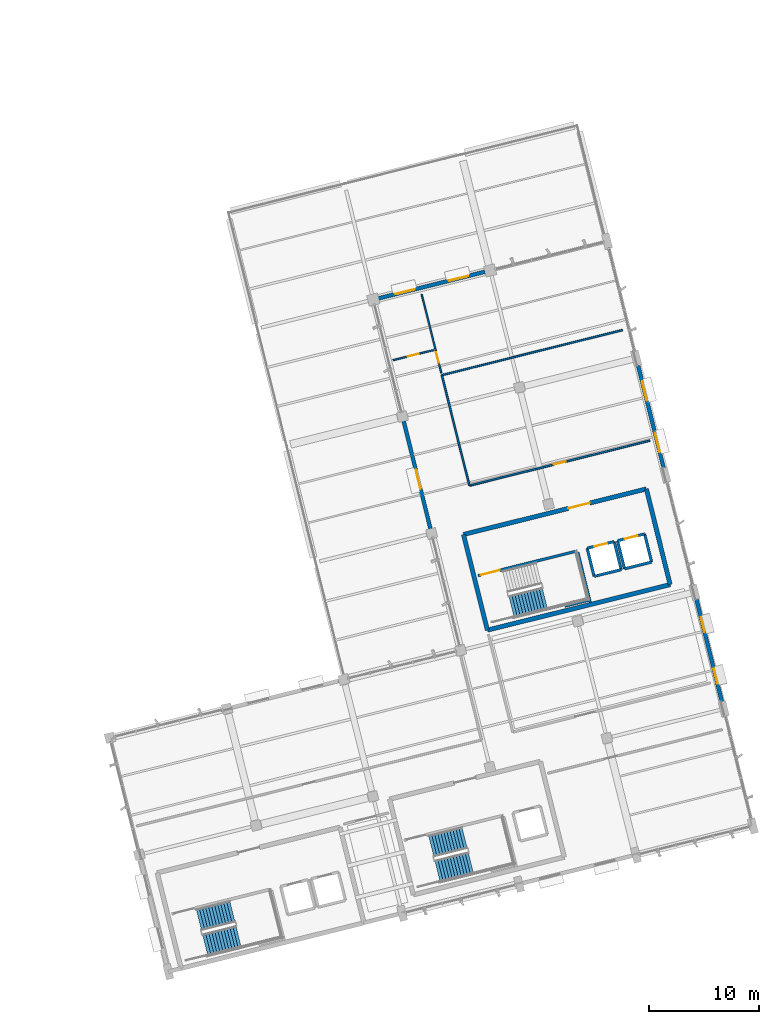
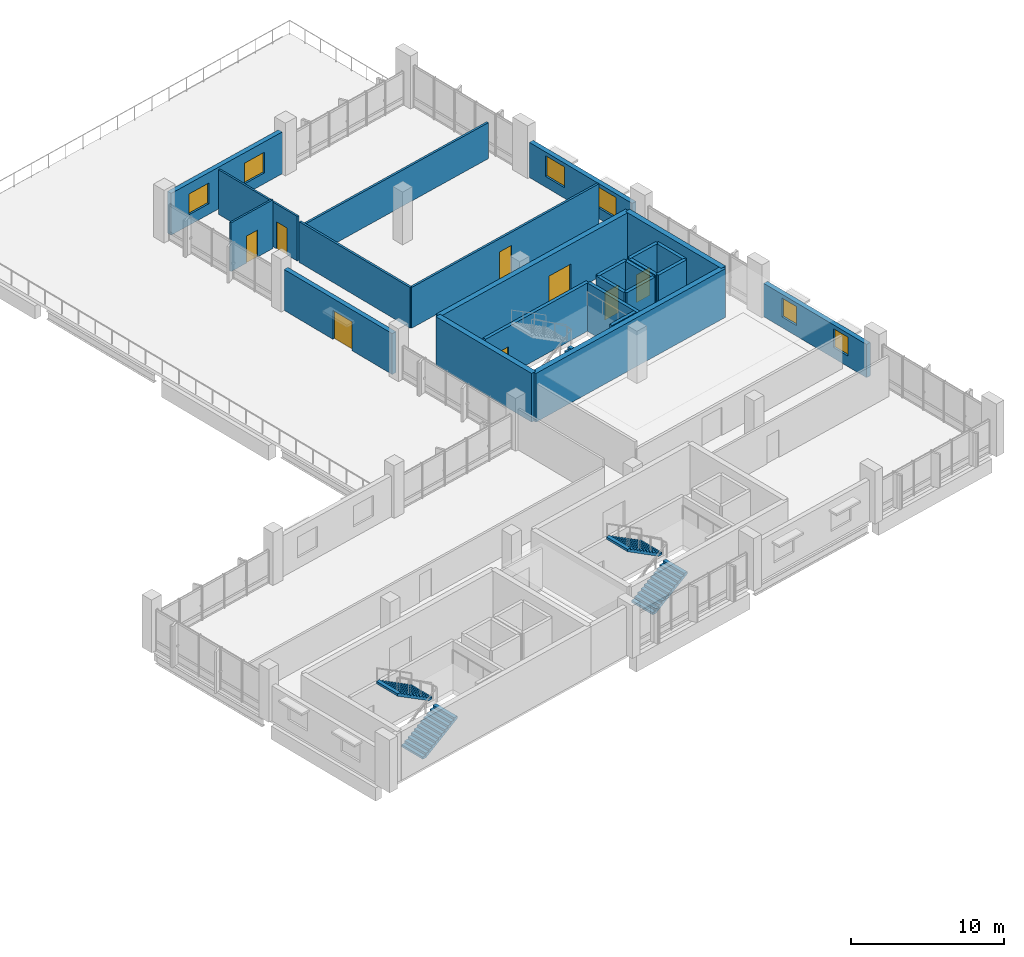
# One storey, part 36 of 42: 24 walls, 8 doors, 6 windows, 5 stair flights, 14 openings, 3 elements without a shape of their own.
"""IFC4 building model written with IfcOpenShell, lengths in metres."""

from ifc_helpers import new_model, si_unit, direction, frame, frame_2d, origin, place, context, subcontext, project, spatial, polyline, rectangle, outline, extrude, material, layer, layer_set, type_object, element, fill, aggregate, save


model = new_model("IFC4")

# Units and contexts
model_context = context("Model", 3, precision=1e-05, world=origin(), true_north=direction((0.0, 1.0)))
body_context = subcontext(model_context, "Body", "Model", "MODEL_VIEW")
ifc_project = project(units=[si_unit("LENGTHUNIT", "METRE"), si_unit("AREAUNIT", "SQUARE_METRE"), si_unit("VOLUMEUNIT", "CUBIC_METRE"), si_unit("PLANEANGLEUNIT", "RADIAN"), si_unit("MASSUNIT", "GRAM", prefix="KILO")], contexts=[model_context])

# Site, building, storey
site_placement = place(None, origin())
site = spatial("IfcSite", under=ifc_project, at=site_placement, CompositionType="ELEMENT")
building_placement = place(site_placement, origin())
building = spatial("IfcBuilding", under=site, at=building_placement, Name="Khorjan Park Terminus", CompositionType="ELEMENT")
storey_placement = place(building_placement, frame((0.0, 0.0, 20.4)))
storey = spatial("IfcBuildingStorey", under=building, at=storey_placement, Name="L04", CompositionType="ELEMENT", Elevation=20.4)

# Walls
ifc_material_1 = material(Name="Concrete C50/60", Category="concrete")
ifc_layer_1 = layer(ifc_material_1, 0.4)
ifc_layer_set_1 = layer_set([ifc_layer_1], Name="Concrete C50/60")
wall_type_1 = type_object("IfcWallType", Name="CW-40", PredefinedType="SHEAR", material=ifc_layer_set_1)
wall_1_placement = place(storey_placement, frame((205.7973, 35.8328, 0.0), z_axis=(0.0, 0.0, 1.0), x_axis=(0.970295179998, 0.241924086589, 0.0)))
element("IfcWall", 1, at=wall_1_placement, inside=storey, type_object=wall_type_1, Name="Operations North-East Firefighting Core concrete shear wall CW-40 (L04-E1)", PredefinedType="SHEAR", context=body_context, shape_type="SweptSolid", body=[
    extrude(rectangle(XDim=17.2, YDim=0.4, at=frame_2d((8.6, 0.0))), origin(), (0.0, 0.0, 1.0), 3.88),
])
wall_2_placement = place(storey_placement, frame((222.4864, 39.9939, 0.0), z_axis=(0.0, 0.0, 1.0), x_axis=(-0.241923808098, 0.970295249435, 0.0)))
element("IfcWall", 2, at=wall_2_placement, inside=storey, type_object=wall_type_1, Name="Operations North-East Firefighting Core concrete shear wall CW-40 (L04-E2)", PredefinedType="SHEAR", context=body_context, shape_type="SweptSolid", body=[
    extrude(rectangle(XDim=8.9999, YDim=0.4, at=frame_2d((4.5, 0.0))), origin(), (0.0, 0.0, 1.0), 3.88),
])

# Wall, opening, door
wall_3_placement = place(storey_placement, frame((220.3091, 48.7265, 0.0), z_axis=(0.0, 0.0, 1.0), x_axis=(-0.970296544738, -0.241918612906, 0.0)))
wall_3 = element("IfcWall", 3, at=wall_3_placement, inside=storey, type_object=wall_type_1, Name="Operations North-East Firefighting Core concrete shear wall CW-40 (L04-E3)", PredefinedType="SHEAR", context=body_context, shape_type="SweptSolid", body=[
    extrude(rectangle(XDim=17.2, YDim=0.4, at=frame_2d((8.6, 0.0))), origin(), (0.0, 0.0, 1.0), 3.88),
])
opening_1_placement = place(wall_3_placement, frame((5.32, 0.0, 0.0)))
opening_1 = element("IfcOpeningElement", 4, at=opening_1_placement, cuts=wall_3, Name="Opening FD-20", PredefinedType="OPENING", context=body_context, shape_type="SweptSolid", body=[
    extrude(rectangle(XDim=2.0, YDim=2.3, at=frame_2d((1.0, 1.15))), frame((0.0, 0.21, 0.0), z_axis=(0.0, -1.0, 0.0), x_axis=(1.0, 0.0, 0.0)), (0.0, 0.0, 1.0), 0.42),
])
ifc_material_2 = material(Name="Fire-Rated Steel Double Door", Category="steel")
door_type_1 = type_object("IfcDoorType", Name="FD-20", OperationType="NOTDEFINED", PredefinedType="DOOR", material=ifc_material_2)
door_1_placement = place(opening_1_placement, origin())
door_1 = element("IfcDoor", 5, at=door_1_placement, inside=storey, type_object=door_type_1, Name="Operations North-East Firefighting Core fire-rated exit door FD-20 (L04)", OperationType="DOUBLE_DOOR_SINGLE_SWING", OverallHeight=2.3, OverallWidth=2.0, PredefinedType="DOOR", context=body_context, shape_type="SweptSolid", body=[
    extrude(rectangle(XDim=2.0, YDim=2.3, at=frame_2d((1.0, 1.15))), frame((0.0, 0.025, 0.0), z_axis=(0.0, -1.0, 0.0), x_axis=(1.0, 0.0, 0.0)), (0.0, 0.0, 1.0), 0.05),
])
fill(opening_1, door_1)

# Wall
wall_4_placement = place(storey_placement, frame((203.62, 44.5655, 0.0), z_axis=(0.0, 0.0, 1.0), x_axis=(0.241921199913, -0.97029589973, 0.0)))
element("IfcWall", 6, at=wall_4_placement, inside=storey, type_object=wall_type_1, Name="Operations North-East Firefighting Core concrete shear wall CW-40 (L04-E4)", PredefinedType="SHEAR", context=body_context, shape_type="SweptSolid", body=[
    extrude(rectangle(XDim=9.0, YDim=0.4, at=frame_2d((4.5, 0.0))), origin(), (0.0, 0.0, 1.0), 3.88),
])

# Wall, openings, windows
ifc_material_3 = material(Name="Pigmented Precast GRC & Concrete C40/50", Category="concrete")
ifc_layer_2 = layer(ifc_material_3, 0.35)
ifc_layer_set_2 = layer_set([ifc_layer_2], Name="Pigmented Precast GRC & Concrete C40/50")
wall_type_2 = type_object("IfcWallType", Name="EW-35", PredefinedType="STANDARD", material=ifc_layer_set_2)
wall_5_placement = place(storey_placement, frame((227.2175, 29.2853, 0.0), z_axis=(0.0, 0.0, 1.0), x_axis=(-0.241919949636, 0.970296211457, 0.0)))
wall_5 = element("IfcWall", 7, at=wall_5_placement, inside=storey, type_object=wall_type_2, Name="External pigmented-GRC insulated wall EW-35 (EW-V5-E-L04-B02)", PredefinedType="STANDARD", context=body_context, shape_type="SweptSolid", body=[
    extrude(rectangle(XDim=9.6697, YDim=0.35, at=frame_2d((4.8349, 0.0))), origin(), (0.0, 0.0, 1.0), 2.65),
])
opening_2_placement = place(wall_5_placement, frame((1.7174, 0.0, 0.85)))
opening_2 = element("IfcOpeningElement", 8, at=opening_2_placement, cuts=wall_5, Name="Opening WN-14", PredefinedType="OPENING", context=body_context, shape_type="SweptSolid", body=[
    extrude(rectangle(XDim=1.4, YDim=1.5, at=frame_2d((0.7, 0.75))), frame((0.0, 0.185, 0.0), z_axis=(0.0, -1.0, 0.0), x_axis=(1.0, 0.0, 0.0)), (0.0, 0.0, 1.0), 0.37),
])
opening_3_placement = place(wall_5_placement, frame((6.5523, 0.0, 0.85)))
opening_3 = element("IfcOpeningElement", 9, at=opening_3_placement, cuts=wall_5, Name="Opening WN-14", PredefinedType="OPENING", context=body_context, shape_type="SweptSolid", body=[
    extrude(rectangle(XDim=1.4, YDim=1.5, at=frame_2d((0.7, 0.75))), frame((0.0, 0.185, 0.0), z_axis=(0.0, -1.0, 0.0), x_axis=(1.0, 0.0, 0.0)), (0.0, 0.0, 1.0), 0.37),
])
ifc_material_4 = material(Name="Anodized Bronze Aluminium & Low-E Glass", Category="aluminium")
window_type_1 = type_object("IfcWindowType", Name="WN-14", PartitioningType="SINGLE_PANEL", PredefinedType="WINDOW", material=ifc_material_4)
window_1_placement = place(opening_2_placement, origin())
window_1 = element("IfcWindow", 10, at=window_1_placement, inside=storey, type_object=window_type_1, Name="Solar-control exterior window WN-14 (WN-EW-V5-E-L04-B02-1)", OverallHeight=1.5, OverallWidth=1.4, PartitioningType="SINGLE_PANEL", PredefinedType="WINDOW", context=body_context, shape_type="SweptSolid", body=[
    extrude(rectangle(XDim=1.4, YDim=1.5, at=frame_2d((0.7, 0.75))), frame((0.0, 0.03, 0.0), z_axis=(0.0, -1.0, 0.0), x_axis=(1.0, 0.0, 0.0)), (0.0, 0.0, 1.0), 0.06),
])
fill(opening_2, window_1)
window_2_placement = place(opening_3_placement, origin())
window_2 = element("IfcWindow", 11, at=window_2_placement, inside=storey, type_object=window_type_1, Name="Solar-control exterior window WN-14 (WN-EW-V5-E-L04-B02-2)", OverallHeight=1.5, OverallWidth=1.4, PartitioningType="SINGLE_PANEL", PredefinedType="WINDOW", context=body_context, shape_type="SweptSolid", body=[
    extrude(rectangle(XDim=1.4, YDim=1.5, at=frame_2d((0.7, 0.75))), frame((0.0, 0.03, 0.0), z_axis=(0.0, -1.0, 0.0), x_axis=(1.0, 0.0, 0.0)), (0.0, 0.0, 1.0), 0.06),
])
fill(opening_3, window_2)

wall_6_placement = place(storey_placement, frame((221.8951, 50.6322, 0.0), z_axis=(0.0, 0.0, 1.0), x_axis=(-0.241910213289, 0.970298638929, 0.0)))
wall_6 = element("IfcWall", 12, at=wall_6_placement, inside=storey, type_object=wall_type_2, Name="External pigmented-GRC insulated wall EW-35 (EW-V5-E-L04-B04)", PredefinedType="STANDARD", context=body_context, shape_type="SweptSolid", body=[
    extrude(rectangle(XDim=9.6697, YDim=0.35, at=frame_2d((4.8349, 0.0))), origin(), (0.0, 0.0, 1.0), 2.795),
])
opening_4_placement = place(wall_6_placement, frame((1.5174, 0.0, 0.85)))
opening_4 = element("IfcOpeningElement", 13, at=opening_4_placement, cuts=wall_6, Name="Opening WN-18", PredefinedType="OPENING", context=body_context, shape_type="SweptSolid", body=[
    extrude(rectangle(XDim=1.8, YDim=1.65, at=frame_2d((0.9, 0.825))), frame((0.0, 0.185, 0.0), z_axis=(0.0, -1.0, 0.0), x_axis=(1.0, 0.0, 0.0)), (0.0, 0.0, 1.0), 0.37),
])
opening_5_placement = place(wall_6_placement, frame((6.3523, 0.0, 0.85)))
opening_5 = element("IfcOpeningElement", 14, at=opening_5_placement, cuts=wall_6, Name="Opening WN-18", PredefinedType="OPENING", context=body_context, shape_type="SweptSolid", body=[
    extrude(rectangle(XDim=1.8, YDim=1.65, at=frame_2d((0.9, 0.825))), frame((0.0, 0.185, 0.0), z_axis=(0.0, -1.0, 0.0), x_axis=(1.0, 0.0, 0.0)), (0.0, 0.0, 1.0), 0.37),
])
window_type_2 = type_object("IfcWindowType", Name="WN-18", PartitioningType="SINGLE_PANEL", PredefinedType="WINDOW", material=ifc_material_4)
window_3_placement = place(opening_4_placement, origin())
window_3 = element("IfcWindow", 15, at=window_3_placement, inside=storey, type_object=window_type_2, Name="Solar-control exterior window WN-18 (WN-EW-V5-E-L04-B04-1)", OverallHeight=1.65, OverallWidth=1.8, PartitioningType="SINGLE_PANEL", PredefinedType="WINDOW", context=body_context, shape_type="SweptSolid", body=[
    extrude(rectangle(XDim=1.8, YDim=1.65, at=frame_2d((0.9, 0.825))), frame((0.0, 0.03, 0.0), z_axis=(0.0, -1.0, 0.0), x_axis=(1.0, 0.0, 0.0)), (0.0, 0.0, 1.0), 0.06),
])
fill(opening_4, window_3)
window_4_placement = place(opening_5_placement, origin())
window_4 = element("IfcWindow", 16, at=window_4_placement, inside=storey, type_object=window_type_2, Name="Solar-control exterior window WN-18 (WN-EW-V5-E-L04-B04-2)", OverallHeight=1.65, OverallWidth=1.8, PartitioningType="SINGLE_PANEL", PredefinedType="WINDOW", context=body_context, shape_type="SweptSolid", body=[
    extrude(rectangle(XDim=1.8, YDim=1.65, at=frame_2d((0.9, 0.825))), frame((0.0, 0.03, 0.0), z_axis=(0.0, -1.0, 0.0), x_axis=(1.0, 0.0, 0.0)), (0.0, 0.0, 1.0), 0.06),
])
fill(opening_5, window_4)

wall_7_placement = place(storey_placement, frame((205.6098, 68.5596, 0.0), z_axis=(0.0, 0.0, 1.0), x_axis=(-0.970293595336, -0.241930442171, 0.0)))
wall_7 = element("IfcWall", 17, at=wall_7_placement, inside=storey, type_object=wall_type_2, Name="External pigmented-GRC insulated wall EW-35 (EW-V5-N-L04-B02)", PredefinedType="STANDARD", context=body_context, shape_type="SweptSolid", body=[
    extrude(rectangle(XDim=10.0707, YDim=0.35, at=frame_2d((5.0354, 0.0))), origin(), (0.0, 0.0, 1.0), 3.325),
])
opening_6_placement = place(wall_7_placement, frame((1.6177, 0.0, 0.85)))
opening_6 = element("IfcOpeningElement", 18, at=opening_6_placement, cuts=wall_7, Name="Opening WN-18", PredefinedType="OPENING", context=body_context, shape_type="SweptSolid", body=[
    extrude(rectangle(XDim=1.8, YDim=1.65, at=frame_2d((0.9, 0.825))), frame((0.0, 0.185, 0.0), z_axis=(0.0, -1.0, 0.0), x_axis=(1.0, 0.0, 0.0)), (0.0, 0.0, 1.0), 0.37),
])
opening_7_placement = place(wall_7_placement, frame((6.653, 0.0, 0.85)))
opening_7 = element("IfcOpeningElement", 19, at=opening_7_placement, cuts=wall_7, Name="Opening WN-18", PredefinedType="OPENING", context=body_context, shape_type="SweptSolid", body=[
    extrude(rectangle(XDim=1.8, YDim=1.65, at=frame_2d((0.9, 0.825))), frame((0.0, 0.185, 0.0), z_axis=(0.0, -1.0, 0.0), x_axis=(1.0, 0.0, 0.0)), (0.0, 0.0, 1.0), 0.37),
])
window_5_placement = place(opening_6_placement, origin())
window_5 = element("IfcWindow", 20, at=window_5_placement, inside=storey, type_object=window_type_2, Name="Solar-control exterior window WN-18 (WN-EW-V5-N-L04-B02-1)", OverallHeight=1.65, OverallWidth=1.8, PartitioningType="SINGLE_PANEL", PredefinedType="WINDOW", context=body_context, shape_type="SweptSolid", body=[
    extrude(rectangle(XDim=1.8, YDim=1.65, at=frame_2d((0.9, 0.825))), frame((0.0, 0.03, 0.0), z_axis=(0.0, -1.0, 0.0), x_axis=(1.0, 0.0, 0.0)), (0.0, 0.0, 1.0), 0.06),
])
fill(opening_6, window_5)
window_6_placement = place(opening_7_placement, origin())
window_6 = element("IfcWindow", 21, at=window_6_placement, inside=storey, type_object=window_type_2, Name="Solar-control exterior window WN-18 (WN-EW-V5-N-L04-B02-2)", OverallHeight=1.65, OverallWidth=1.8, PartitioningType="SINGLE_PANEL", PredefinedType="WINDOW", context=body_context, shape_type="SweptSolid", body=[
    extrude(rectangle(XDim=1.8, YDim=1.65, at=frame_2d((0.9, 0.825))), frame((0.0, 0.03, 0.0), z_axis=(0.0, -1.0, 0.0), x_axis=(1.0, 0.0, 0.0)), (0.0, 0.0, 1.0), 0.06),
])
fill(opening_7, window_6)

# Wall, opening, door
wall_8_placement = place(storey_placement, frame((198.1487, 54.9354, 0.0), z_axis=(0.0, 0.0, 1.0), x_axis=(0.241924839684, -0.970294992228, 0.0)))
wall_8 = element("IfcWall", 22, at=wall_8_placement, inside=storey, type_object=wall_type_2, Name="External pigmented-GRC insulated wall EW-35 (EW-V5-NW1-L04-B02)", PredefinedType="STANDARD", context=body_context, shape_type="SweptSolid", body=[
    extrude(rectangle(XDim=10.1709, YDim=0.35, at=frame_2d((5.0854, 0.0))), origin(), (0.0, 0.0, 1.0), 3.255),
])
opening_8_placement = place(wall_8_placement, frame((4.6, 0.0, 0.0)))
opening_8 = element("IfcOpeningElement", 23, at=opening_8_placement, cuts=wall_8, Name="Opening ED-18", PredefinedType="OPENING", context=body_context, shape_type="SweptSolid", body=[
    extrude(rectangle(XDim=1.8, YDim=2.3, at=frame_2d((0.9, 1.15))), frame((0.0, 0.185, 0.0), z_axis=(0.0, -1.0, 0.0), x_axis=(1.0, 0.0, 0.0)), (0.0, 0.0, 1.0), 0.37),
])
ifc_material_5 = material(Name="Anodized Bronze Aluminium & Safety Glass", Category="aluminium")
door_type_2 = type_object("IfcDoorType", Name="ED-18", OperationType="NOTDEFINED", PredefinedType="DOOR", material=ifc_material_5)
door_2_placement = place(opening_8_placement, origin())
door_2 = element("IfcDoor", 24, at=door_2_placement, inside=storey, type_object=door_type_2, Name="Exterior door ED-18 (DR-EW-V5-NW1-L04-B02)", OperationType="DOUBLE_DOOR_SINGLE_SWING", OverallHeight=2.3, OverallWidth=1.8, PredefinedType="DOOR", context=body_context, shape_type="SweptSolid", body=[
    extrude(rectangle(XDim=1.8, YDim=2.3, at=frame_2d((0.9, 1.15))), frame((0.0, 0.025, 0.0), z_axis=(0.0, -1.0, 0.0), x_axis=(1.0, 0.0, 0.0)), (0.0, 0.0, 1.0), 0.05),
])
fill(opening_8, door_2)

ifc_material_6 = material(Name="Moisture-Resistant Sanitary Partition")
ifc_layer_3 = layer(ifc_material_6, 0.14)
ifc_layer_set_3 = layer_set([ifc_layer_3], Name="Moisture-Resistant Sanitary Partition")
wall_type_3 = type_object("IfcWallType", Name="PT-14", PredefinedType="PARTITIONING", material=ifc_layer_set_3)
wall_9_placement = place(storey_placement, frame((201.592, 59.3129, 0.0), z_axis=(0.0, 0.0, 1.0), x_axis=(-0.241918724359, 0.97029651695, 0.0)))
wall_9 = element("IfcWall", 25, at=wall_9_placement, inside=storey, type_object=wall_type_3, Name="Interior acoustic partition PT-14 (L04-SWC4)", PredefinedType="PARTITIONING", context=body_context, shape_type="SweptSolid", body=[
    extrude(rectangle(XDim=7.4, YDim=0.14, at=frame_2d((3.7, 0.0))), origin(), (0.0, 0.0, 1.0), 3.555),
])
opening_9_placement = place(wall_9_placement, frame((0.96, 0.0, 0.0)))
opening_9 = element("IfcOpeningElement", 26, at=opening_9_placement, cuts=wall_9, Name="Opening ID-10", PredefinedType="OPENING", context=body_context, shape_type="SweptSolid", body=[
    extrude(rectangle(XDim=1.0, YDim=2.15, at=frame_2d((0.5, 1.075))), frame((0.0, 0.08, 0.0), z_axis=(0.0, -1.0, 0.0), x_axis=(1.0, 0.0, 0.0)), (0.0, 0.0, 1.0), 0.16),
])
ifc_material_7 = material(Name="Acoustic Fire-Rated Single Door")
door_type_3 = type_object("IfcDoorType", Name="ID-10", OperationType="NOTDEFINED", PredefinedType="DOOR", material=ifc_material_7)
door_3_placement = place(opening_9_placement, origin())
door_3 = element("IfcDoor", 27, at=door_3_placement, inside=storey, type_object=door_type_3, Name="Interior door ID-10 (L04-SWC4)", OperationType="SINGLE_SWING_LEFT", OverallHeight=2.15, OverallWidth=1.0, PredefinedType="DOOR", context=body_context, shape_type="SweptSolid", body=[
    extrude(rectangle(XDim=1.0, YDim=2.15, at=frame_2d((0.5, 1.075))), frame((0.0, 0.025, 0.0), z_axis=(0.0, -1.0, 0.0), x_axis=(1.0, 0.0, 0.0)), (0.0, 0.0, 1.0), 0.05),
])
fill(opening_9, door_3)

wall_10_placement = place(storey_placement, frame((200.8657, 61.3992, 0.0), z_axis=(0.0, 0.0, 1.0), x_axis=(-0.970295558209, -0.241922569678, 0.0)))
wall_10 = element("IfcWall", 28, at=wall_10_placement, inside=storey, type_object=wall_type_3, Name="Interior acoustic partition PT-14 (L04-AWC4)", PredefinedType="PARTITIONING", context=body_context, shape_type="SweptSolid", body=[
    extrude(rectangle(XDim=3.8, YDim=0.14, at=frame_2d((1.9, 0.0))), origin(), (0.0, 0.0, 1.0), 3.88),
])
opening_10_placement = place(wall_10_placement, frame((1.4, 0.0, 0.0)))
opening_10 = element("IfcOpeningElement", 29, at=opening_10_placement, cuts=wall_10, Name="Opening ID-10", PredefinedType="OPENING", context=body_context, shape_type="SweptSolid", body=[
    extrude(rectangle(XDim=1.0, YDim=2.15, at=frame_2d((0.5, 1.075))), frame((0.0, 0.08, 0.0), z_axis=(0.0, -1.0, 0.0), x_axis=(1.0, 0.0, 0.0)), (0.0, 0.0, 1.0), 0.16),
])
door_4_placement = place(opening_10_placement, origin())
door_4 = element("IfcDoor", 30, at=door_4_placement, inside=storey, type_object=door_type_3, Name="Interior door ID-10 (L04-AWC4)", OperationType="SINGLE_SWING_RIGHT", OverallHeight=2.15, OverallWidth=1.0, PredefinedType="DOOR", context=body_context, shape_type="SweptSolid", body=[
    extrude(rectangle(XDim=1.0, YDim=2.15, at=frame_2d((0.5, 1.075))), frame((0.0, 0.025, 0.0), z_axis=(0.0, -1.0, 0.0), x_axis=(1.0, 0.0, 0.0)), (0.0, 0.0, 1.0), 0.05),
])
fill(opening_10, door_4)

ifc_material_8 = material(Name="Insulated Metal-Stud Acoustic Partition")
ifc_layer_4 = layer(ifc_material_8, 0.16)
ifc_layer_set_4 = layer_set([ifc_layer_4], Name="Insulated Metal-Stud Acoustic Partition")
wall_type_4 = type_object("IfcWallType", Name="PT-16", PredefinedType="PARTITIONING", material=ifc_layer_set_4)
wall_11_placement = place(storey_placement, frame((220.6514, 53.1405, 0.0), z_axis=(0.0, 0.0, 1.0), x_axis=(-0.970295248612, -0.241923811395, 0.0)))
wall_11 = element("IfcWall", 31, at=wall_11_placement, inside=storey, type_object=wall_type_4, Name="Interior acoustic partition PT-16 (L04-ARC)", PredefinedType="PARTITIONING", context=body_context, shape_type="SweptSolid", body=[
    extrude(rectangle(XDim=17.0, YDim=0.16, at=frame_2d((8.5, 0.0))), origin(), (0.0, 0.0, 1.0), 3.245),
])
opening_11_placement = place(wall_11_placement, frame((7.95, 0.0, 0.0)))
opening_11 = element("IfcOpeningElement", 32, at=opening_11_placement, cuts=wall_11, Name="Opening ID-11", PredefinedType="OPENING", context=body_context, shape_type="SweptSolid", body=[
    extrude(rectangle(XDim=1.1, YDim=2.2, at=frame_2d((0.55, 1.1))), frame((0.0, 0.09, 0.0), z_axis=(0.0, -1.0, 0.0), x_axis=(1.0, 0.0, 0.0)), (0.0, 0.0, 1.0), 0.18),
])
ifc_material_9 = material(Name="Acoustic Hardwood Single Door", Category="wood")
door_type_4 = type_object("IfcDoorType", Name="ID-11", OperationType="NOTDEFINED", PredefinedType="DOOR", material=ifc_material_9)
door_5_placement = place(opening_11_placement, origin())
door_5 = element("IfcDoor", 33, at=door_5_placement, inside=storey, type_object=door_type_4, Name="Interior door ID-11 (L04-ARC)", OperationType="SINGLE_SWING_RIGHT", OverallHeight=2.2, OverallWidth=1.1, PredefinedType="DOOR", context=body_context, shape_type="SweptSolid", body=[
    extrude(rectangle(XDim=1.1, YDim=2.2, at=frame_2d((0.55, 1.1))), frame((0.0, 0.025, 0.0), z_axis=(0.0, -1.0, 0.0), x_axis=(1.0, 0.0, 0.0)), (0.0, 0.0, 1.0), 0.05),
])
fill(opening_11, door_5)

# Walls
wall_12_placement = place(storey_placement, frame((204.1564, 49.0278, 0.0), z_axis=(0.0, 0.0, 1.0), x_axis=(-0.241922456002, 0.970295586552, 0.0)))
element("IfcWall", 34, at=wall_12_placement, inside=storey, type_object=wall_type_4, Name="Interior acoustic partition PT-16 (L04-ARC)", PredefinedType="PARTITIONING", context=body_context, shape_type="SweptSolid", body=[
    extrude(rectangle(XDim=10.4, YDim=0.16, at=frame_2d((5.2, 0.0))), origin(), (0.0, 0.0, 1.0), 3.245),
])
wall_13_placement = place(storey_placement, frame((201.6404, 59.1189, 0.0), z_axis=(0.0, 0.0, 1.0), x_axis=(0.970296629409, 0.241918273301, 0.0)))
element("IfcWall", 35, at=wall_13_placement, inside=storey, type_object=wall_type_4, Name="Interior acoustic partition PT-16 (L04-ARC)", PredefinedType="PARTITIONING", context=body_context, shape_type="SweptSolid", body=[
    extrude(rectangle(XDim=17.0, YDim=0.16, at=frame_2d((8.5, 0.0))), origin(), (0.0, 0.0, 1.0), 2.865),
])
ifc_material_10 = material(Name="Concrete C40/50", Category="concrete")
ifc_layer_5 = layer(ifc_material_10, 0.25)
ifc_layer_set_5 = layer_set([ifc_layer_5], Name="Concrete C40/50")
wall_type_5 = type_object("IfcWallType", Name="SW-25", PredefinedType="SOLIDWALL", material=ifc_layer_set_5)
wall_14_placement = place(storey_placement, frame((215.548, 40.7477, 0.0), z_axis=(0.0, 0.0, 1.0), x_axis=(0.97029284861, 0.241933436994, 0.0)))
element("IfcWall", 36, at=wall_14_placement, inside=storey, type_object=wall_type_5, Name="Lift L07 concrete shaft wall SW-25 (L04-1)", PredefinedType="SOLIDWALL", context=body_context, shape_type="SweptSolid", body=[
    extrude(rectangle(XDim=2.54, YDim=0.25, at=frame_2d((1.27, 0.0))), origin(), (0.0, 0.0, 1.0), 3.88),
])
wall_15_placement = place(storey_placement, frame((218.0125, 41.3622, 0.0), z_axis=(0.0, 0.0, 1.0), x_axis=(-0.241938414856, 0.970291607413, 0.0)))
element("IfcWall", 37, at=wall_15_placement, inside=storey, type_object=wall_type_5, Name="Lift L07 concrete shaft wall SW-25 (L04-2)", PredefinedType="SOLIDWALL", context=body_context, shape_type="SweptSolid", body=[
    extrude(rectangle(XDim=2.6399, YDim=0.25, at=frame_2d((1.3199, 0.0))), origin(), (0.0, 0.0, 1.0), 3.88),
])

# Wall, opening, door
wall_16_placement = place(storey_placement, frame((217.3738, 43.9237, 0.0), z_axis=(0.0, 0.0, 1.0), x_axis=(-0.97029284861, -0.241933436994, 0.0)))
wall_16 = element("IfcWall", 38, at=wall_16_placement, inside=storey, type_object=wall_type_5, Name="Lift L07 concrete shaft wall SW-25 (L04-3)", PredefinedType="SOLIDWALL", context=body_context, shape_type="SweptSolid", body=[
    extrude(rectangle(XDim=2.54, YDim=0.25, at=frame_2d((1.27, 0.0))), origin(), (0.0, 0.0, 1.0), 3.88),
])
opening_12_placement = place(wall_16_placement, frame((0.67, 0.0, 0.0)))
opening_12 = element("IfcOpeningElement", 39, at=opening_12_placement, cuts=wall_16, Name="Opening LD-12", PredefinedType="OPENING", context=body_context, shape_type="SweptSolid", body=[
    extrude(rectangle(XDim=1.2, YDim=2.2, at=frame_2d((0.6, 1.1))), frame((0.0, 0.135, 0.0), z_axis=(0.0, -1.0, 0.0), x_axis=(1.0, 0.0, 0.0)), (0.0, 0.0, 1.0), 0.27),
])
ifc_material_11 = material(Name="Stainless-Steel Lift Landing Sliding Door", Category="steel")
door_type_5 = type_object("IfcDoorType", Name="LD-12", OperationType="NOTDEFINED", PredefinedType="DOOR", material=ifc_material_11)
door_6_placement = place(opening_12_placement, origin())
door_6 = element("IfcDoor", 40, at=door_6_placement, inside=storey, type_object=door_type_5, Name="Lift L07 sliding landing door LD-12 (L04)", OperationType="SLIDING_TO_LEFT", OverallHeight=2.2, OverallWidth=1.2, PredefinedType="DOOR", context=body_context, shape_type="SweptSolid", body=[
    extrude(rectangle(XDim=1.2, YDim=2.2, at=frame_2d((0.6, 1.1))), frame((0.0, 0.025, 0.0), z_axis=(0.0, -1.0, 0.0), x_axis=(1.0, 0.0, 0.0)), (0.0, 0.0, 1.0), 0.05),
])
fill(opening_12, door_6)

# Walls
wall_17_placement = place(storey_placement, frame((214.9093, 43.3092, 0.0), z_axis=(0.0, 0.0, 1.0), x_axis=(0.241938414856, -0.970291607413, 0.0)))
element("IfcWall", 41, at=wall_17_placement, inside=storey, type_object=wall_type_5, Name="Lift L07 concrete shaft wall SW-25 (L04-4)", PredefinedType="SOLIDWALL", context=body_context, shape_type="SweptSolid", body=[
    extrude(rectangle(XDim=2.6399, YDim=0.25, at=frame_2d((1.3199, 0.0))), origin(), (0.0, 0.0, 1.0), 3.88),
])
wall_18_placement = place(storey_placement, frame((218.323, 41.4396, 0.0), z_axis=(0.0, 0.0, 1.0), x_axis=(0.97029284861, 0.241933436994, 0.0)))
element("IfcWall", 42, at=wall_18_placement, inside=storey, type_object=wall_type_5, Name="Lift L08 concrete shaft wall SW-25 (L04-1)", PredefinedType="SOLIDWALL", context=body_context, shape_type="SweptSolid", body=[
    extrude(rectangle(XDim=2.54, YDim=0.25, at=frame_2d((1.27, 0.0))), origin(), (0.0, 0.0, 1.0), 3.88),
])
wall_19_placement = place(storey_placement, frame((220.7875, 42.0541, 0.0), z_axis=(0.0, 0.0, 1.0), x_axis=(-0.241938414856, 0.970291607413, 0.0)))
element("IfcWall", 43, at=wall_19_placement, inside=storey, type_object=wall_type_5, Name="Lift L08 concrete shaft wall SW-25 (L04-2)", PredefinedType="SOLIDWALL", context=body_context, shape_type="SweptSolid", body=[
    extrude(rectangle(XDim=2.6399, YDim=0.25, at=frame_2d((1.3199, 0.0))), origin(), (0.0, 0.0, 1.0), 3.88),
])

# Wall, opening, door
wall_20_placement = place(storey_placement, frame((220.1488, 44.6156, 0.0), z_axis=(0.0, 0.0, 1.0), x_axis=(-0.97029284861, -0.241933436994, 0.0)))
wall_20 = element("IfcWall", 44, at=wall_20_placement, inside=storey, type_object=wall_type_5, Name="Lift L08 concrete shaft wall SW-25 (L04-3)", PredefinedType="SOLIDWALL", context=body_context, shape_type="SweptSolid", body=[
    extrude(rectangle(XDim=2.54, YDim=0.25, at=frame_2d((1.27, 0.0))), origin(), (0.0, 0.0, 1.0), 3.88),
])
opening_13_placement = place(wall_20_placement, frame((0.67, 0.0, 0.0)))
opening_13 = element("IfcOpeningElement", 45, at=opening_13_placement, cuts=wall_20, Name="Opening LD-12", PredefinedType="OPENING", context=body_context, shape_type="SweptSolid", body=[
    extrude(rectangle(XDim=1.2, YDim=2.2, at=frame_2d((0.6, 1.1))), frame((0.0, 0.135, 0.0), z_axis=(0.0, -1.0, 0.0), x_axis=(1.0, 0.0, 0.0)), (0.0, 0.0, 1.0), 0.27),
])
door_7_placement = place(opening_13_placement, origin())
door_7 = element("IfcDoor", 46, at=door_7_placement, inside=storey, type_object=door_type_5, Name="Lift L08 sliding landing door LD-12 (L04)", OperationType="SLIDING_TO_RIGHT", OverallHeight=2.2, OverallWidth=1.2, PredefinedType="DOOR", context=body_context, shape_type="SweptSolid", body=[
    extrude(rectangle(XDim=1.2, YDim=2.2, at=frame_2d((0.6, 1.1))), frame((0.0, 0.025, 0.0), z_axis=(0.0, -1.0, 0.0), x_axis=(1.0, 0.0, 0.0)), (0.0, 0.0, 1.0), 0.05),
])
fill(opening_13, door_7)

# Wall
wall_21_placement = place(storey_placement, frame((217.6843, 44.0011, 0.0), z_axis=(0.0, 0.0, 1.0), x_axis=(0.241938414856, -0.970291607413, 0.0)))
element("IfcWall", 47, at=wall_21_placement, inside=storey, type_object=wall_type_5, Name="Lift L08 concrete shaft wall SW-25 (L04-4)", PredefinedType="SOLIDWALL", context=body_context, shape_type="SweptSolid", body=[
    extrude(rectangle(XDim=2.6399, YDim=0.25, at=frame_2d((1.3199, 0.0))), origin(), (0.0, 0.0, 1.0), 3.88),
])

# Wall, opening, door
wall_22_placement = place(storey_placement, frame((204.9479, 40.8102, 0.0), z_axis=(0.0, 0.0, 1.0), x_axis=(0.970297151331, 0.241916179943, 0.0)))
wall_22 = element("IfcWall", 48, at=wall_22_placement, inside=storey, type_object=wall_type_5, Name="Operations North-East Firefighting Core structural stairwell wall SW-25 (L04)", PredefinedType="SOLIDWALL", context=body_context, shape_type="SweptSolid", body=[
    extrude(rectangle(XDim=9.345, YDim=0.25, at=frame_2d((4.6725, 0.0))), origin(), (0.0, 0.0, 1.0), 3.85),
])
opening_14_placement = place(wall_22_placement, frame((0.25, 0.0, 0.0)))
opening_14 = element("IfcOpeningElement", 49, at=opening_14_placement, cuts=wall_22, Name="Opening FD-18", PredefinedType="OPENING", context=body_context, shape_type="SweptSolid", body=[
    extrude(rectangle(XDim=1.8, YDim=2.25, at=frame_2d((0.9, 1.125))), frame((0.0, 0.135, 0.0), z_axis=(0.0, -1.0, 0.0), x_axis=(1.0, 0.0, 0.0)), (0.0, 0.0, 1.0), 0.27),
])
door_type_6 = type_object("IfcDoorType", Name="FD-18", OperationType="NOTDEFINED", PredefinedType="DOOR", material=ifc_material_2)
door_8_placement = place(opening_14_placement, origin())
door_8 = element("IfcDoor", 50, at=door_8_placement, inside=storey, type_object=door_type_6, Name="Operations North-East Firefighting Core stairwell fire door FD-18 (L04)", OperationType="DOUBLE_DOOR_SINGLE_SWING", OverallHeight=2.25, OverallWidth=1.8, PredefinedType="DOOR", context=body_context, shape_type="SweptSolid", body=[
    extrude(rectangle(XDim=1.8, YDim=2.25, at=frame_2d((0.9, 1.125))), frame((0.0, 0.025, 0.0), z_axis=(0.0, -1.0, 0.0), x_axis=(1.0, 0.0, 0.0)), (0.0, 0.0, 1.0), 0.05),
])
fill(opening_14, door_8)

# Walls
wall_23_placement = place(storey_placement, frame((215.185, 38.3795, 0.0), z_axis=(0.0, 0.0, 1.0), x_axis=(-0.241911120435, 0.970298412763, 0.0)))
element("IfcWall", 51, at=wall_23_placement, inside=storey, type_object=wall_type_5, Name="Operations North-East Firefighting Core stairwell end bearing wall SW-25 (L04)", PredefinedType="SOLIDWALL", context=body_context, shape_type="SweptSolid", body=[
    extrude(rectangle(XDim=4.71, YDim=0.25, at=frame_2d((2.355, 0.0))), origin(), (0.0, 0.0, 1.0), 3.85),
])
wall_24_placement = place(storey_placement, frame((212.8747, 38.0354, 0.0), z_axis=(0.0, 0.0, 1.0), x_axis=(0.97029738597, 0.241915238833, 0.0)))
element("IfcWall", 52, at=wall_24_placement, inside=storey, type_object=wall_type_5, Name="Operations North-East Firefighting Core half-landing bearing wall SW-25 (L04)", PredefinedType="SOLIDWALL", context=body_context, shape_type="SweptSolid", body=[
    extrude(rectangle(XDim=2.1999, YDim=0.25, at=frame_2d((1.0999, 0.0))), origin(), (0.0, 0.0, 1.0), 3.85),
])

# Stair, stair flights
stair_type = type_object("IfcStairType", Name="STR-CORE-200", PredefinedType="HALF_TURN_STAIR", material=ifc_material_10)
stair_1_placement = place(storey_placement, origin())
stair_1 = element("IfcStair", 53, at=stair_1_placement, inside=storey, type_object=stair_type, Name="L04 Operations West Firefighting Core exit stair ST-03", PredefinedType="HALF_TURN_STAIR")
stair_flight_type = type_object("IfcStairFlightType", Name="FLT-STC-20", PredefinedType="STRAIGHT", material=ifc_material_10)
stair_flight_1_placement = place(storey_placement, frame((180.0436, 7.0989, 0.0), z_axis=(0.0, 0.0, 1.0), x_axis=(0.970295726276, 0.2419218956, 0.0)))
stair_flight_1 = element("IfcStairFlight", 54, at=stair_flight_1_placement, type_object=stair_flight_type, Name="ST-03 flight 1", NumberOfRisers=12, NumberOfTreads=11, PredefinedType="STRAIGHT", RiserHeight=0.175, TreadLength=0.285, context=body_context, shape_type="SweptSolid", body=[
    extrude(outline(polyline([(0.0, 0.0), (0.0, 0.175), (0.285, 0.175), (0.285, 0.35), (0.57, 0.35), (0.57, 0.525), (0.855, 0.525), (0.855, 0.7), (1.14, 0.7), (1.14, 0.875), (1.425, 0.875), (1.425, 1.05), (1.71, 1.05), (1.71, 1.225), (1.995, 1.225), (1.995, 1.4), (2.28, 1.4), (2.28, 1.575), (2.565, 1.575), (2.565, 1.75), (2.85, 1.75), (2.85, 1.925), (3.135, 1.925), (3.135, 2.1), (3.135, 1.7372), (0.3058, 0.0), (0.0, 0.0)])), frame((0.0, 1.0, 0.0), z_axis=(0.0, -1.0, 0.0), x_axis=(1.0, 0.0, 0.0)), (0.0, 0.0, 1.0), 2.0),
])
stair_flight_2_placement = place(storey_placement, frame((182.5145, 10.1472, 2.1), z_axis=(0.0, 0.0, 1.0), x_axis=(-0.970295726276, -0.2419218956, 0.0)))
stair_flight_2 = element("IfcStairFlight", 55, at=stair_flight_2_placement, type_object=stair_flight_type, Name="ST-03 flight 2", NumberOfRisers=12, NumberOfTreads=11, PredefinedType="STRAIGHT", RiserHeight=0.175, TreadLength=0.285, context=body_context, shape_type="SweptSolid", body=[
    extrude(outline(polyline([(0.0, 0.0), (0.0, 0.175), (0.285, 0.175), (0.285, 0.35), (0.57, 0.35), (0.57, 0.525), (0.855, 0.525), (0.855, 0.7), (1.14, 0.7), (1.14, 0.875), (1.425, 0.875), (1.425, 1.05), (1.71, 1.05), (1.71, 1.225), (1.995, 1.225), (1.995, 1.4), (2.28, 1.4), (2.28, 1.575), (2.565, 1.575), (2.565, 1.75), (2.85, 1.75), (2.85, 1.925), (3.135, 1.925), (3.135, 2.1), (3.135, 1.7372), (0.3058, 0.0), (0.0, 0.0)])), frame((0.0, 1.0, 0.0), z_axis=(0.0, -1.0, 0.0), x_axis=(1.0, 0.0, 0.0)), (0.0, 0.0, 1.0), 2.0),
])
aggregate(stair_1, [stair_flight_1, stair_flight_2])

# Stair, stair flight
stair_2_placement = place(storey_placement, origin())
stair_2 = element("IfcStair", 56, at=stair_2_placement, inside=storey, type_object=stair_type, Name="L04 Operations North-East Firefighting Core exit stair ST-04", PredefinedType="HALF_TURN_STAIR")
stair_flight_3_placement = place(storey_placement, frame((208.0033, 37.9803, 0.0), z_axis=(0.0, 0.0, 1.0), x_axis=(0.970295726276, 0.2419218956, 0.0)))
stair_flight_3 = element("IfcStairFlight", 57, at=stair_flight_3_placement, type_object=stair_flight_type, Name="ST-04 flight 1", NumberOfRisers=12, NumberOfTreads=11, PredefinedType="STRAIGHT", RiserHeight=0.175, TreadLength=0.285, context=body_context, shape_type="SweptSolid", body=[
    extrude(outline(polyline([(0.0, 0.0), (0.0, 0.175), (0.285, 0.175), (0.285, 0.35), (0.57, 0.35), (0.57, 0.525), (0.855, 0.525), (0.855, 0.7), (1.14, 0.7), (1.14, 0.875), (1.425, 0.875), (1.425, 1.05), (1.71, 1.05), (1.71, 1.225), (1.995, 1.225), (1.995, 1.4), (2.28, 1.4), (2.28, 1.575), (2.565, 1.575), (2.565, 1.75), (2.85, 1.75), (2.85, 1.925), (3.135, 1.925), (3.135, 2.1), (3.135, 1.7372), (0.3058, 0.0), (0.0, 0.0)])), frame((0.0, 1.0, 0.0), z_axis=(0.0, -1.0, 0.0), x_axis=(1.0, 0.0, 0.0)), (0.0, 0.0, 1.0), 2.0),
])
aggregate(stair_2, [stair_flight_3])

# Stair, stair flights
stair_3_placement = place(storey_placement, origin())
stair_3 = element("IfcStair", 58, at=stair_3_placement, inside=storey, type_object=stair_type, Name="L04 Operations Central Command Core exit stair ST-05", PredefinedType="HALF_TURN_STAIR")
stair_flight_4_placement = place(storey_placement, frame((201.2455, 13.828, 0.0), z_axis=(0.0, 0.0, 1.0), x_axis=(0.970295726276, 0.2419218956, 0.0)))
stair_flight_4 = element("IfcStairFlight", 59, at=stair_flight_4_placement, type_object=stair_flight_type, Name="ST-05 flight 1", NumberOfRisers=12, NumberOfTreads=11, PredefinedType="STRAIGHT", RiserHeight=0.175, TreadLength=0.285, context=body_context, shape_type="SweptSolid", body=[
    extrude(outline(polyline([(0.0, 0.0), (0.0, 0.175), (0.285, 0.175), (0.285, 0.35), (0.57, 0.35), (0.57, 0.525), (0.855, 0.525), (0.855, 0.7), (1.14, 0.7), (1.14, 0.875), (1.425, 0.875), (1.425, 1.05), (1.71, 1.05), (1.71, 1.225), (1.995, 1.225), (1.995, 1.4), (2.28, 1.4), (2.28, 1.575), (2.565, 1.575), (2.565, 1.75), (2.85, 1.75), (2.85, 1.925), (3.135, 1.925), (3.135, 2.1), (3.135, 1.7372), (0.3058, 0.0), (0.0, 0.0)])), frame((0.0, 1.0, 0.0), z_axis=(0.0, -1.0, 0.0), x_axis=(1.0, 0.0, 0.0)), (0.0, 0.0, 1.0), 2.0),
])
stair_flight_5_placement = place(storey_placement, frame((203.7164, 16.8763, 2.1), z_axis=(0.0, 0.0, 1.0), x_axis=(-0.970295726276, -0.2419218956, 0.0)))
stair_flight_5 = element("IfcStairFlight", 60, at=stair_flight_5_placement, type_object=stair_flight_type, Name="ST-05 flight 2", NumberOfRisers=12, NumberOfTreads=11, PredefinedType="STRAIGHT", RiserHeight=0.175, TreadLength=0.285, context=body_context, shape_type="SweptSolid", body=[
    extrude(outline(polyline([(0.0, 0.0), (0.0, 0.175), (0.285, 0.175), (0.285, 0.35), (0.57, 0.35), (0.57, 0.525), (0.855, 0.525), (0.855, 0.7), (1.14, 0.7), (1.14, 0.875), (1.425, 0.875), (1.425, 1.05), (1.71, 1.05), (1.71, 1.225), (1.995, 1.225), (1.995, 1.4), (2.28, 1.4), (2.28, 1.575), (2.565, 1.575), (2.565, 1.75), (2.85, 1.75), (2.85, 1.925), (3.135, 1.925), (3.135, 2.1), (3.135, 1.7372), (0.3058, 0.0), (0.0, 0.0)])), frame((0.0, 1.0, 0.0), z_axis=(0.0, -1.0, 0.0), x_axis=(1.0, 0.0, 0.0)), (0.0, 0.0, 1.0), 2.0),
])
aggregate(stair_3, [stair_flight_4, stair_flight_5])

save(model, "model.ifc")
